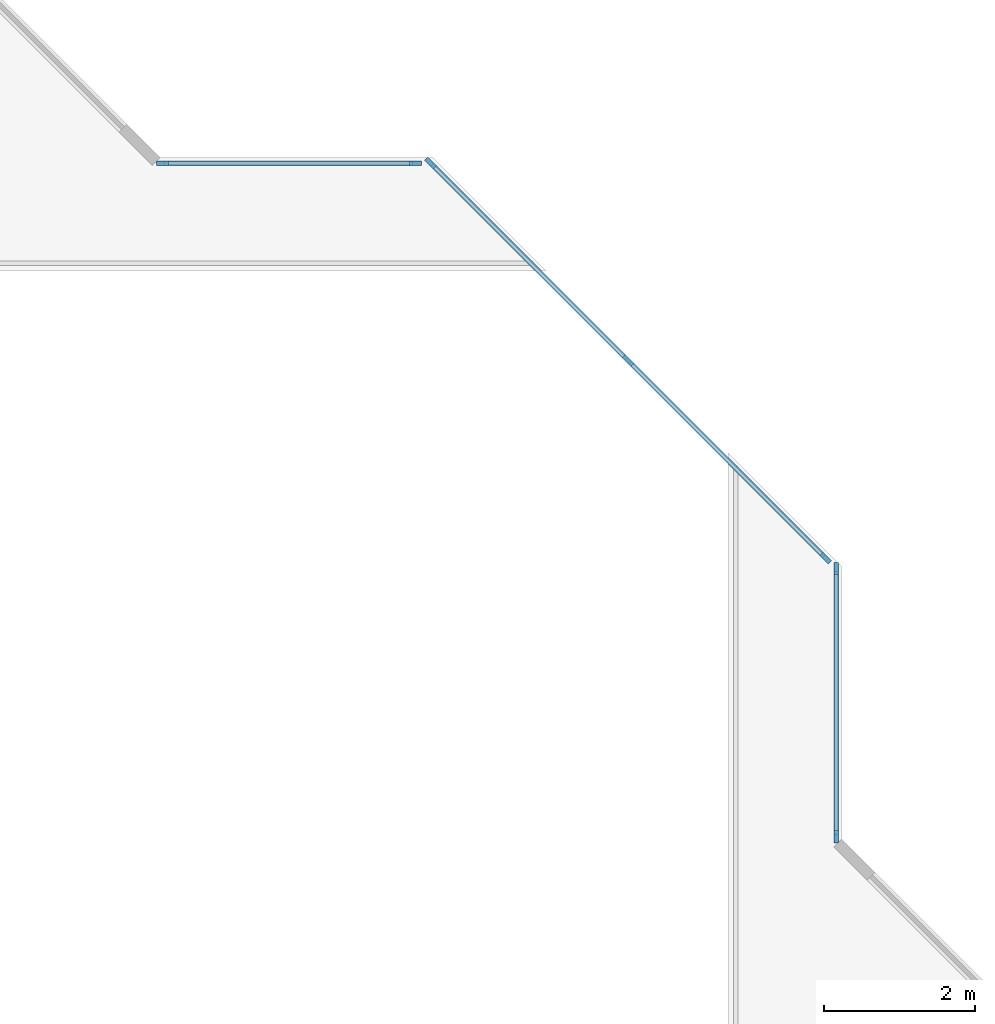
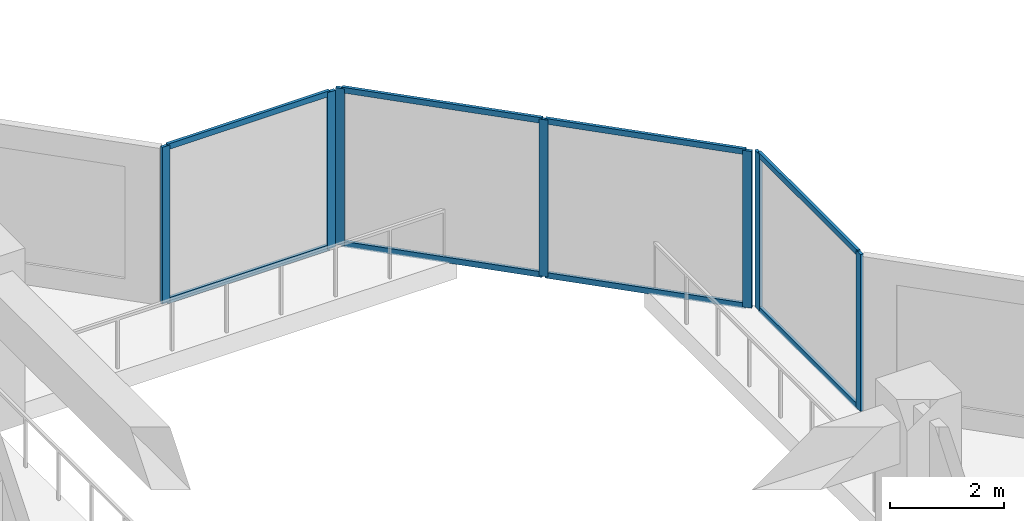
# One storey, part 2 of 15: 15 members, 3 elements without a shape of their own.
"""IFC4 building model written with IfcOpenShell, lengths in metres."""

from ifc_helpers import new_model, si_unit, direction, frame, origin, origin_2d, place, context, subcontext, project, spatial, rectangle, extrude, material, layer, layer_set, material_profile, profile_set, type_object, element, aggregate, save


model = new_model("IFC4")

# Units and contexts
model_context = context("Model", 3, precision=1e-05, world=origin(), true_north=direction((0.0, 1.0)))
body_context = subcontext(model_context, "Body", "Model", "MODEL_VIEW")
ifc_project = project(units=[si_unit("LENGTHUNIT", "METRE"), si_unit("AREAUNIT", "SQUARE_METRE"), si_unit("VOLUMEUNIT", "CUBIC_METRE"), si_unit("PLANEANGLEUNIT", "RADIAN"), si_unit("MASSUNIT", "GRAM", prefix="KILO")], contexts=[model_context])

# Site, building, storey
site_placement = place(None, origin())
site = spatial("IfcSite", under=ifc_project, at=site_placement, CompositionType="ELEMENT")
building_placement = place(site_placement, origin())
building = spatial("IfcBuilding", under=site, at=building_placement, Name="Chenar Terraces", CompositionType="ELEMENT")
storey_placement = place(building_placement, frame((0.0, 0.0, 52.64990234375)))
storey = spatial("IfcBuildingStorey", under=building, at=storey_placement, Name="L10", CompositionType="ELEMENT", Elevation=52.64990234375)

# Curtain wall, members
ifc_material_1 = material(Name="Aluminium framed glazing", Category="aluminium")
ifc_layer = layer(ifc_material_1, 0.14990234375)
ifc_layer_set = layer_set([ifc_layer], Name="Aluminium framed glazing")
curtain_wall_type = type_object("IfcCurtainWallType", Name="Atrium curtain wall", PredefinedType="NOTDEFINED", material=ifc_layer_set)
placement = place(storey_placement, origin())
curtain_wall_1 = element("IfcCurtainWall", 1, at=placement, inside=storey, type_object=curtain_wall_type, Name="Atrium curtain wall", PredefinedType="NOTDEFINED")
ifc_material_2 = material(Name="Aluminium", Category="aluminium")
ifc_material_profile_1 = material_profile(ifc_material_2, rectangle(XDim=0.06005859375, YDim=0.159912109375, at=origin_2d()), Name="Atrium glazing mullion 60 x 160")
ifc_profile_set_1 = profile_set([ifc_material_profile_1], Name="Aluminium")
member_type_1 = type_object("IfcMemberType", Name="Atrium glazing mullion 60 x 160", PredefinedType="MULLION", material=ifc_profile_set_1)
member_1_placement = place(storey_placement, frame((37.425048828125, 28.530029296875, 0.0), z_axis=(0.0, 0.0, 1.0), x_axis=(-1.0, 0.0, 0.0)))
member_1 = element("IfcMember", 2, at=member_1_placement, type_object=member_type_1, Name="CW1-1 mullion 1", PredefinedType="MULLION", context=body_context, shape_type="SweptSolid", body=[
    extrude(rectangle(XDim=0.06005859375, YDim=0.159912109375, at=origin_2d()), origin(), (0.0, 0.0, 1.0), 3.35009765625),
])
member_2_placement = place(storey_placement, frame((37.425048828125, 32.070068359375, 0.0), z_axis=(0.0, 0.0, 1.0), x_axis=(-1.0, 0.0, 0.0)))
member_2 = element("IfcMember", 3, at=member_2_placement, type_object=member_type_1, Name="CW1-1 mullion 2", PredefinedType="MULLION", context=body_context, shape_type="SweptSolid", body=[
    extrude(rectangle(XDim=0.06005859375, YDim=0.159912109375, at=origin_2d()), origin(), (0.0, 0.0, 1.0), 3.35009765625),
])

curtain_wall_2 = element("IfcCurtainWall", 4, at=placement, inside=storey, type_object=curtain_wall_type, Name="Atrium curtain wall", PredefinedType="NOTDEFINED")
member_3_placement = place(storey_placement, frame((37.284423828125, 32.209716796875, 0.0), z_axis=(0.0, 0.0, 1.0), x_axis=(-0.707106781187, -0.707106781187, 0.0)))
member_3 = element("IfcMember", 5, at=member_3_placement, type_object=member_type_1, Name="CW1-2 mullion 1", PredefinedType="MULLION", context=body_context, shape_type="SweptSolid", body=[
    extrude(rectangle(XDim=0.06005859375, YDim=0.159912109375, at=origin_2d()), origin(), (0.0, 0.0, 1.0), 3.35009765625),
])
member_4_placement = place(storey_placement, frame((34.67626953125, 34.817626953125, 0.0), z_axis=(0.0, 0.0, 1.0), x_axis=(-0.707106781187, -0.707106781187, 0.0)))
member_4 = element("IfcMember", 6, at=member_4_placement, type_object=member_type_1, Name="CW1-2 mullion 2", PredefinedType="MULLION", context=body_context, shape_type="SweptSolid", body=[
    extrude(rectangle(XDim=0.06005859375, YDim=0.159912109375, at=origin_2d()), origin(), (0.0, 0.0, 1.0), 3.35009765625),
])
member_5_placement = place(storey_placement, frame((32.068115234375, 37.42578125, 0.0), z_axis=(0.0, 0.0, 1.0), x_axis=(-0.707106781187, -0.707106781187, 0.0)))
member_5 = element("IfcMember", 7, at=member_5_placement, type_object=member_type_1, Name="CW1-2 mullion 3", PredefinedType="MULLION", context=body_context, shape_type="SweptSolid", body=[
    extrude(rectangle(XDim=0.06005859375, YDim=0.159912109375, at=origin_2d()), origin(), (0.0, 0.0, 1.0), 3.35009765625),
])

curtain_wall_3 = element("IfcCurtainWall", 8, at=placement, inside=storey, type_object=curtain_wall_type, Name="Atrium curtain wall", PredefinedType="NOTDEFINED")
member_6_placement = place(storey_placement, frame((31.8701171875, 37.425048828125, 0.0), z_axis=(0.0, 0.0, 1.0), x_axis=(0.0, -1.0, 0.0)))
member_6 = element("IfcMember", 9, at=member_6_placement, type_object=member_type_1, Name="CW1-3 mullion 1", PredefinedType="MULLION", context=body_context, shape_type="SweptSolid", body=[
    extrude(rectangle(XDim=0.06005859375, YDim=0.159912109375, at=origin_2d()), origin(), (0.0, 0.0, 1.0), 3.35009765625),
])
member_7_placement = place(storey_placement, frame((28.530029296875, 37.425048828125, 0.0), z_axis=(0.0, 0.0, 1.0), x_axis=(0.0, -1.0, 0.0)))
member_7 = element("IfcMember", 10, at=member_7_placement, type_object=member_type_1, Name="CW1-3 mullion 2", PredefinedType="MULLION", context=body_context, shape_type="SweptSolid", body=[
    extrude(rectangle(XDim=0.06005859375, YDim=0.159912109375, at=origin_2d()), origin(), (0.0, 0.0, 1.0), 3.35009765625),
])

# Member
ifc_material_3 = material(Name="Aluminium", Category="aluminium")
ifc_material_profile_2 = material_profile(ifc_material_3, rectangle(XDim=0.06005859375, YDim=0.1201171875, at=origin_2d()), Name="Atrium glazing transom 60 x 120")
ifc_profile_set_2 = profile_set([ifc_material_profile_2], Name="Aluminium")
member_type_2 = type_object("IfcMemberType", Name="Atrium glazing transom 60 x 120", PredefinedType="USERDEFINED", material=ifc_profile_set_2)
member_8_placement = place(storey_placement, frame((37.425048828125, 28.56005859375, 0.030029296875), z_axis=(0.0, 1.0, 0.0), x_axis=(-1.0, 0.0, 0.0)))
member_8 = element("IfcMember", 11, at=member_8_placement, type_object=member_type_2, Name="CW1-1 transom 1.1", ObjectType="TRANSOM", PredefinedType="USERDEFINED", context=body_context, shape_type="SweptSolid", body=[
    extrude(rectangle(XDim=0.06005859375, YDim=0.1201171875, at=origin_2d()), origin(), (0.0, 0.0, 1.0), 3.47998046875),
])

member_9_placement = place(storey_placement, frame((37.425048828125, 28.56005859375, 3.320068359375), z_axis=(0.0, 1.0, 0.0), x_axis=(-1.0, 0.0, 0.0)))
member_9 = element("IfcMember", 12, at=member_9_placement, type_object=member_type_2, Name="CW1-1 transom 1.2", ObjectType="TRANSOM", PredefinedType="USERDEFINED", context=body_context, shape_type="SweptSolid", body=[
    extrude(rectangle(XDim=0.06005859375, YDim=0.1201171875, at=origin_2d()), origin(), (0.0, 0.0, 1.0), 3.47998046875),
])

aggregate(curtain_wall_1, [member_1, member_2, member_8, member_9])

member_10_placement = place(storey_placement, frame((37.26318359375, 32.230712890625, 0.030029296875), z_axis=(-0.707106781187, 0.707106781187, 0.0), x_axis=(-0.707106781187, -0.707106781187, 0.0)))
member_10 = element("IfcMember", 13, at=member_10_placement, type_object=member_type_2, Name="CW1-2 transom 1.1", ObjectType="TRANSOM", PredefinedType="USERDEFINED", context=body_context, shape_type="SweptSolid", body=[
    extrude(rectangle(XDim=0.06005859375, YDim=0.1201171875, at=origin_2d()), origin(), (0.0, 0.0, 1.0), 3.62841796875),
])

member_11_placement = place(storey_placement, frame((37.26318359375, 32.230712890625, 3.320068359375), z_axis=(-0.707106781187, 0.707106781187, 0.0), x_axis=(-0.707106781187, -0.707106781187, 0.0)))
member_11 = element("IfcMember", 14, at=member_11_placement, type_object=member_type_2, Name="CW1-2 transom 1.2", ObjectType="TRANSOM", PredefinedType="USERDEFINED", context=body_context, shape_type="SweptSolid", body=[
    extrude(rectangle(XDim=0.06005859375, YDim=0.1201171875, at=origin_2d()), origin(), (0.0, 0.0, 1.0), 3.62841796875),
])

member_12_placement = place(storey_placement, frame((34.655029296875, 34.8388671875, 0.030029296875), z_axis=(-0.707106781187, 0.707106781187, 0.0), x_axis=(-0.707106781187, -0.707106781187, 0.0)))
member_12 = element("IfcMember", 15, at=member_12_placement, type_object=member_type_2, Name="CW1-2 transom 2.1", ObjectType="TRANSOM", PredefinedType="USERDEFINED", context=body_context, shape_type="SweptSolid", body=[
    extrude(rectangle(XDim=0.06005859375, YDim=0.1201171875, at=origin_2d()), origin(), (0.0, 0.0, 1.0), 3.62841796875),
])

member_13_placement = place(storey_placement, frame((34.655029296875, 34.8388671875, 3.320068359375), z_axis=(-0.707106781187, 0.707106781187, 0.0), x_axis=(-0.707106781187, -0.707106781187, 0.0)))
member_13 = element("IfcMember", 16, at=member_13_placement, type_object=member_type_2, Name="CW1-2 transom 2.2", ObjectType="TRANSOM", PredefinedType="USERDEFINED", context=body_context, shape_type="SweptSolid", body=[
    extrude(rectangle(XDim=0.06005859375, YDim=0.1201171875, at=origin_2d()), origin(), (0.0, 0.0, 1.0), 3.62841796875),
])

aggregate(curtain_wall_2, [member_3, member_4, member_5, member_10, member_11, member_12, member_13])

member_14_placement = place(storey_placement, frame((31.840087890625, 37.425048828125, 0.030029296875), z_axis=(-1.0, 0.0, 0.0), x_axis=(0.0, -1.0, 0.0)))
member_14 = element("IfcMember", 17, at=member_14_placement, type_object=member_type_2, Name="CW1-3 transom 1.1", ObjectType="TRANSOM", PredefinedType="USERDEFINED", context=body_context, shape_type="SweptSolid", body=[
    extrude(rectangle(XDim=0.06005859375, YDim=0.1201171875, at=origin_2d()), origin(), (0.0, 0.0, 1.0), 3.280029296875),
])

member_15_placement = place(storey_placement, frame((31.840087890625, 37.425048828125, 3.320068359375), z_axis=(-1.0, 0.0, 0.0), x_axis=(0.0, -1.0, 0.0)))
member_15 = element("IfcMember", 18, at=member_15_placement, type_object=member_type_2, Name="CW1-3 transom 1.2", ObjectType="TRANSOM", PredefinedType="USERDEFINED", context=body_context, shape_type="SweptSolid", body=[
    extrude(rectangle(XDim=0.06005859375, YDim=0.1201171875, at=origin_2d()), origin(), (0.0, 0.0, 1.0), 3.280029296875),
])

aggregate(curtain_wall_3, [member_6, member_7, member_14, member_15])

save(model, "model.ifc")
